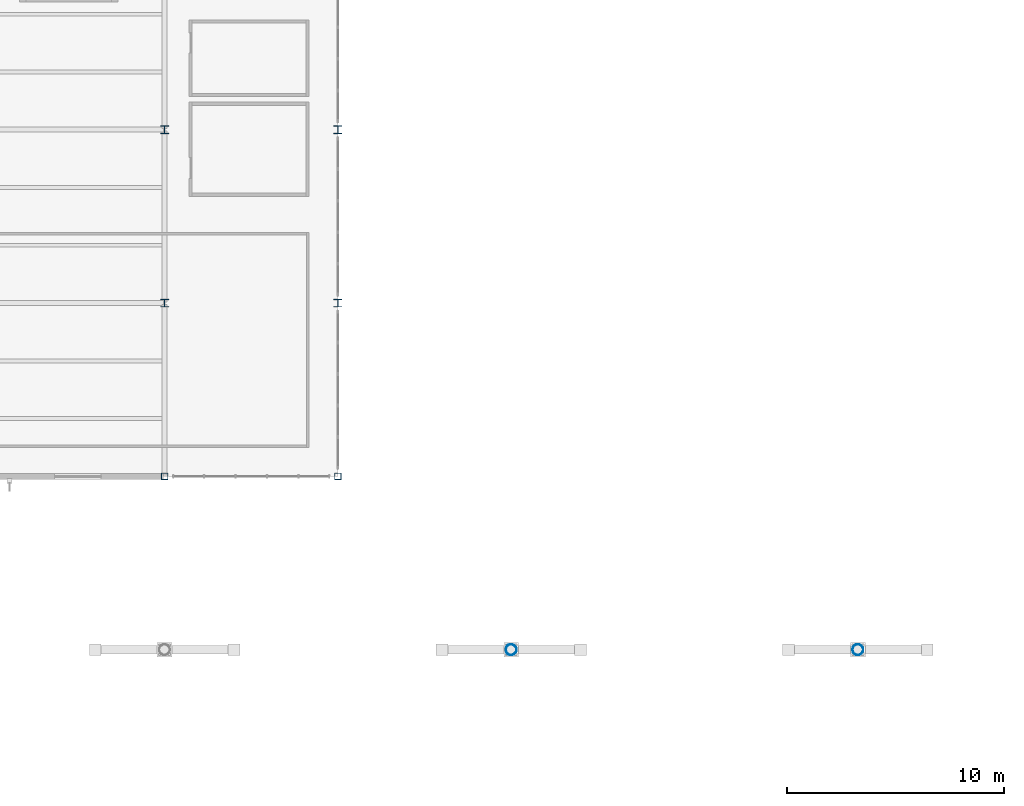
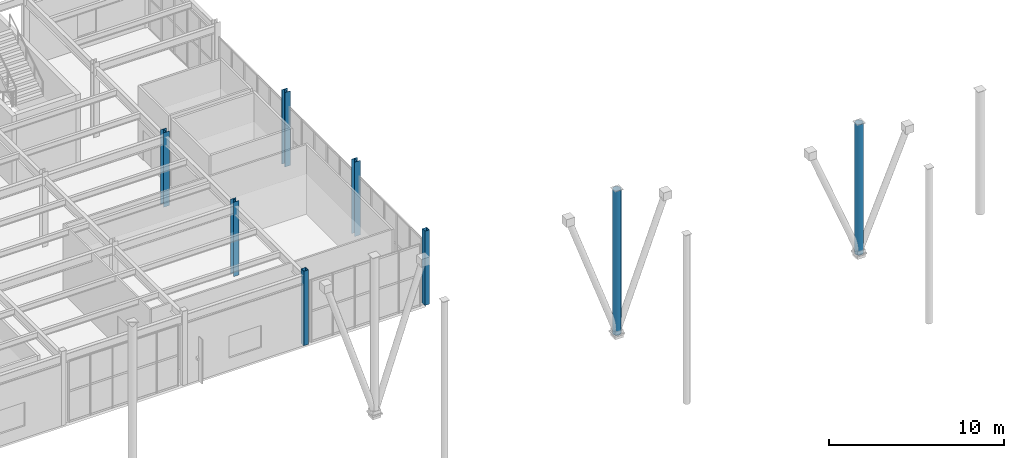
# One storey, part 17 of 77: 8 columns.
"""IFC4 building model written with IfcOpenShell, lengths in metres."""

from ifc_helpers import new_model, si_unit, direction, frame, origin, origin_2d, place, context, subcontext, project, spatial, hollow_rectangle, hollow_circle, i_section, extrude, material, material_profile, profile_set, type_object, element, save


model = new_model("IFC4")

# Units and contexts
model_context = context("Model", 3, precision=1e-05, world=origin(), true_north=direction((0.0, 1.0)))
body_context = subcontext(model_context, "Body", "Model", "MODEL_VIEW")
ifc_project = project(units=[si_unit("LENGTHUNIT", "METRE"), si_unit("AREAUNIT", "SQUARE_METRE"), si_unit("VOLUMEUNIT", "CUBIC_METRE"), si_unit("PLANEANGLEUNIT", "RADIAN"), si_unit("MASSUNIT", "GRAM", prefix="KILO")], contexts=[model_context])

# Site, building, storey
site_placement = place(None, origin())
site = spatial("IfcSite", under=ifc_project, at=site_placement, CompositionType="ELEMENT")
building_placement = place(site_placement, origin())
building = spatial("IfcBuilding", under=site, at=building_placement, Name="Drelvath Fold Interchange", CompositionType="ELEMENT")
storey_placement = place(building_placement, frame((0.0, 0.0, 6.0)))
storey = spatial("IfcBuildingStorey", under=building, at=storey_placement, Name="L01", CompositionType="ELEMENT", Elevation=6.0)

# Columns
ifc_material_1 = material(Name="Steel ASTM A500 Grade C", Category="steel")
ifc_material_profile_1 = material_profile(ifc_material_1, hollow_circle(Radius=0.25390625, WallThickness=0.014892578125, at=origin_2d()), Name="HSS20.000X0.625")
ifc_profile_set_1 = profile_set([ifc_material_profile_1], Name="Steel ASTM A500 Grade C")
column_type_1 = type_object("IfcColumnType", Name="COL-CFT508", PredefinedType="COLUMN", material=ifc_profile_set_1)
column_1_placement = place(storey_placement, frame((150.0, 67.0, 0.0), z_axis=(0.0, 0.0, 1.0), x_axis=(1.0, 0.0, 0.0)))
element("IfcColumn", 1, at=column_1_placement, inside=storey, type_object=column_type_1, Name="L01 column (150,67)", PredefinedType="COLUMN", context=body_context, shape_type="SweptSolid", body=[
    extrude(hollow_circle(Radius=0.25390625, WallThickness=0.014892578125, at=origin_2d()), origin(), (0.0, 0.0, 1.0), 10.083984375),
])
column_2_placement = place(storey_placement, frame((166.0, 67.0, 0.0), z_axis=(0.0, 0.0, 1.0), x_axis=(1.0, 0.0, 0.0)))
element("IfcColumn", 2, at=column_2_placement, inside=storey, type_object=column_type_1, Name="L01 column (166,67)", PredefinedType="COLUMN", context=body_context, shape_type="SweptSolid", body=[
    extrude(hollow_circle(Radius=0.25390625, WallThickness=0.014892578125, at=origin_2d()), origin(), (0.0, 0.0, 1.0), 9.1220703125),
])
ifc_material_profile_2 = material_profile(ifc_material_1, hollow_rectangle(XDim=0.304931640625, YDim=0.304931640625, WallThickness=0.01171875, at=origin_2d()), Name="HSS12X12X1/2")
ifc_profile_set_2 = profile_set([ifc_material_profile_2], Name="Steel ASTM A500 Grade C")
column_type_2 = type_object("IfcColumnType", Name="COL-HSS305", PredefinedType="COLUMN", material=ifc_profile_set_2)
for number, where, z_axis, x_axis, name in (
    (3, (134.0, 75.0, 0.0), (0.0, 0.0, 1.0), (1.0, 0.0, 0.0), "L01 column (134,75)"),
    (4, (142.0, 75.0, 0.0), (0.0, 0.0, 1.0), (1.0, 0.0, 0.0), "L01 column (142,75)"),
):
    element("IfcColumn", number, at=place(storey_placement, frame(where, z_axis=z_axis, x_axis=x_axis)), inside=storey, type_object=column_type_2, Name=name, PredefinedType="COLUMN", context=body_context, shape_type="SweptSolid", body=[
        extrude(hollow_rectangle(XDim=0.304931640625, YDim=0.304931640625, WallThickness=0.01171875, at=origin_2d()), origin(), (0.0, 0.0, 1.0), 5.199951171875),
    ])
ifc_material_2 = material(Name="Steel ASTM A992 Grade 50", Category="steel")
ifc_material_profile_3 = material_profile(ifc_material_2, i_section(OverallWidth=0.368896484375, OverallDepth=0.35595703125, WebThickness=0.01123046875, FlangeThickness=0.01806640625, at=origin_2d()), Name="W14X90")
ifc_profile_set_3 = profile_set([ifc_material_profile_3], Name="Steel ASTM A992 Grade 50")
column_type_3 = type_object("IfcColumnType", Name="COL-W14X90", PredefinedType="COLUMN", material=ifc_profile_set_3)
for number, where, z_axis, x_axis, name in (
    (5, (134.0, 83.0, 0.0), (0.0, 0.0, 1.0), (1.0, 0.0, 0.0), "L01 column (134,83)"),
    (6, (134.0, 91.0, 0.0), (0.0, 0.0, 1.0), (1.0, 0.0, 0.0), "L01 column (134,91)"),
    (7, (142.0, 83.0, 0.0), (0.0, 0.0, 1.0), (1.0, 0.0, 0.0), "L01 column (142,83)"),
    (8, (142.0, 91.0, 0.0), (0.0, 0.0, 1.0), (1.0, 0.0, 0.0), "L01 column (142,91)"),
):
    element("IfcColumn", number, at=place(storey_placement, frame(where, z_axis=z_axis, x_axis=x_axis)), inside=storey, type_object=column_type_3, Name=name, PredefinedType="COLUMN", context=body_context, shape_type="SweptSolid", body=[
        extrude(i_section(OverallWidth=0.368896484375, OverallDepth=0.35595703125, WebThickness=0.01123046875, FlangeThickness=0.01806640625, at=origin_2d()), origin(), (0.0, 0.0, 1.0), 5.199951171875),
    ])

save(model, "model.ifc")
